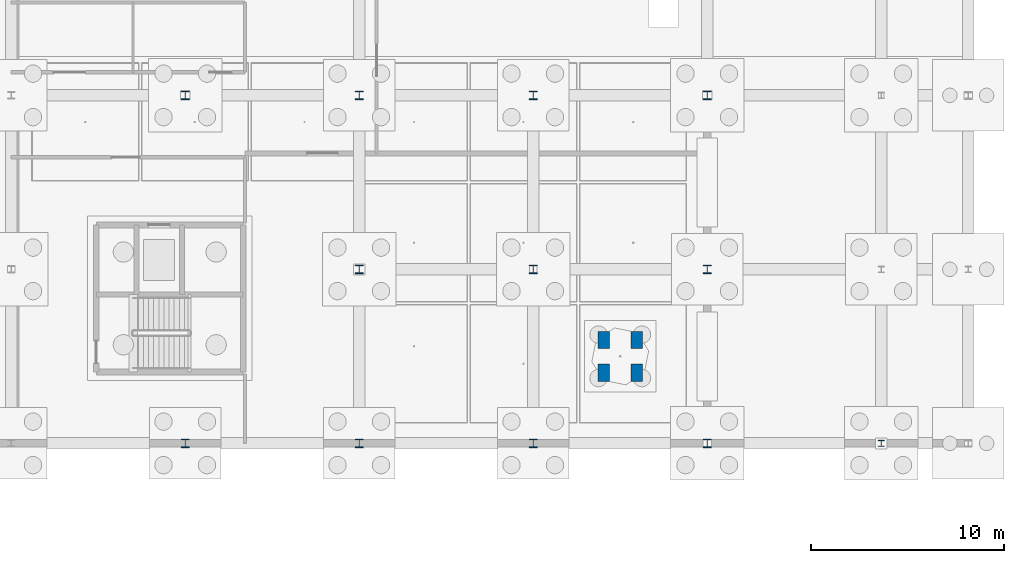
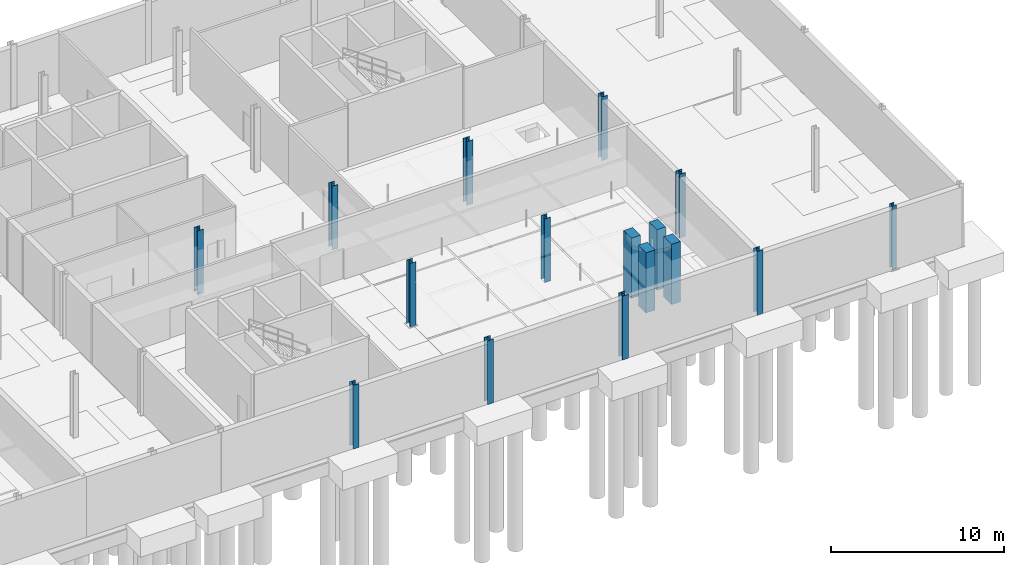
# One storey, part 15 of 48: 16 columns.
"""IFC4 building model written with IfcOpenShell, lengths in metres."""

from ifc_helpers import new_model, si_unit, direction, frame, origin, origin_2d, place, context, subcontext, project, spatial, rectangle, i_section, extrude, material, material_profile, profile_set, type_object, element, save


model = new_model("IFC4")

# Units and contexts
model_context = context("Model", 3, precision=1e-05, world=origin(), true_north=direction((0.0, 1.0)))
body_context = subcontext(model_context, "Body", "Model", "MODEL_VIEW")
ifc_project = project(units=[si_unit("LENGTHUNIT", "METRE"), si_unit("AREAUNIT", "SQUARE_METRE"), si_unit("VOLUMEUNIT", "CUBIC_METRE"), si_unit("PLANEANGLEUNIT", "RADIAN"), si_unit("MASSUNIT", "GRAM", prefix="KILO"), si_unit("THERMODYNAMICTEMPERATUREUNIT", "KELVIN"), si_unit("POWERUNIT", "WATT")], contexts=[model_context])

# Site, building, storey
site_placement = place(None, origin())
site = spatial("IfcSite", under=ifc_project, at=site_placement, CompositionType="ELEMENT")
building_placement = place(site_placement, origin())
building = spatial("IfcBuilding", under=site, at=building_placement, Name="Tallowbark Science Centre", CompositionType="ELEMENT")
storey_placement = place(building_placement, frame((0.0, 0.0, -4.5)))
storey = spatial("IfcBuildingStorey", under=building, at=storey_placement, Name="B1", CompositionType="ELEMENT", Elevation=-4.5)

# Columns
ifc_material_1 = material(Name="Concrete Grade N40 (40 MPa)", Category="concrete")
ifc_material_profile_1 = material_profile(ifc_material_1, rectangle(XDim=0.60009765625, YDim=0.89990234375, at=origin_2d()), Name="RC600x900")
ifc_profile_set_1 = profile_set([ifc_material_profile_1], Name="Concrete Grade N40 (40 MPa)")
column_type_1 = type_object("IfcColumnType", Name="COL-FND-PIER", PredefinedType="COLUMN", material=ifc_profile_set_1)
for number, where, z_axis, x_axis, name in (
    (1, (143.14990234375, 75.64990234375, 0.0), (0.0, 0.0, 1.0), (1.0, 0.0, 0.0), "Telescope Isolation Pedestal Column 1"),
    (2, (144.85009765625, 75.64990234375, 0.0), (0.0, 0.0, 1.0), (1.0, 0.0, 0.0), "Telescope Isolation Pedestal Column 2"),
    (3, (143.14990234375, 77.35009765625, 0.0), (0.0, 0.0, 1.0), (1.0, 0.0, 0.0), "Telescope Isolation Pedestal Column 3"),
    (4, (144.85009765625, 77.35009765625, 0.0), (0.0, 0.0, 1.0), (1.0, 0.0, 0.0), "Telescope Isolation Pedestal Column 4"),
):
    element("IfcColumn", number, at=place(storey_placement, frame(where, z_axis=z_axis, x_axis=x_axis)), inside=storey, type_object=column_type_1, Name=name, PredefinedType="COLUMN", context=body_context, shape_type="SweptSolid", body=[
        extrude(rectangle(XDim=0.60009765625, YDim=0.89990234375, at=origin_2d()), origin(), (0.0, 0.0, 1.0), 4.260009765625),
    ])
ifc_material_2 = material(Name="Structural Steel Grade 300PLUS (300 MPa)", Category="steel")
ifc_material_profile_2 = material_profile(ifc_material_2, i_section(OverallWidth=0.30908203125, OverallDepth=0.320556640625, WebThickness=0.013916015625, FlangeThickness=0.021728515625, FilletRadius=0.0166015625, at=origin_2d()), Name="310UC137")
ifc_profile_set_2 = profile_set([ifc_material_profile_2], Name="Structural Steel Grade 300PLUS (300 MPa)")
column_type_2 = type_object("IfcColumnType", Name="COL-UC310B", PredefinedType="COLUMN", material=ifc_profile_set_2)
column_placement = place(storey_placement, frame((157.5, 72.0, 0.0), z_axis=(0.0, 0.0, 1.0), x_axis=(1.0, 0.0, 0.0)))
element("IfcColumn", 5, at=column_placement, inside=storey, type_object=column_type_2, Name="Column OBS-5_0 B1", PredefinedType="COLUMN", context=body_context, shape_type="SweptSolid", body=[
    extrude(i_section(OverallWidth=0.30908203125, OverallDepth=0.320556640625, WebThickness=0.013916015625, FlangeThickness=0.021728515625, FilletRadius=0.0166015625, at=origin_2d()), origin(), (0.0, 0.0, 1.0), 4.5),
])
ifc_material_profile_3 = material_profile(ifc_material_2, i_section(OverallWidth=0.39990234375, OverallDepth=0.427978515625, WebThickness=0.02001953125, FlangeThickness=0.028076171875, FilletRadius=0.01611328125, at=origin_2d()), Name="400WC270")
ifc_profile_set_3 = profile_set([ifc_material_profile_3], Name="Structural Steel Grade 300PLUS (300 MPa)")
column_type_3 = type_object("IfcColumnType", Name="COL-WC400", PredefinedType="COLUMN", material=ifc_profile_set_3)
for number, where, z_axis, x_axis, name in (
    (6, (121.5, 72.0, 0.0), (0.0, 0.0, 1.0), (1.0, 0.0, 0.0), "Column OBS-1_0 B1"),
    (7, (121.5, 90.0, 0.0), (0.0, 0.0, 1.0), (1.0, 0.0, 0.0), "Column OBS-1_2 B1"),
    (8, (130.5, 72.0, 0.0), (0.0, 0.0, 1.0), (1.0, 0.0, 0.0), "Column OBS-2_0 B1"),
    (9, (130.5, 81.0, 0.0), (0.0, 0.0, 1.0), (1.0, 0.0, 0.0), "Column OBS-2_1 B1"),
    (10, (130.5, 90.0, 0.0), (0.0, 0.0, 1.0), (1.0, 0.0, 0.0), "Column OBS-2_2 B1"),
    (11, (139.5, 72.0, 0.0), (0.0, 0.0, 1.0), (1.0, 0.0, 0.0), "Column OBS-3_0 B1"),
    (12, (139.5, 81.0, 0.0), (0.0, 0.0, 1.0), (1.0, 0.0, 0.0), "Column OBS-3_1 B1"),
    (13, (139.5, 90.0, 0.0), (0.0, 0.0, 1.0), (1.0, 0.0, 0.0), "Column OBS-3_2 B1"),
    (14, (148.5, 72.0, 0.0), (0.0, 0.0, 1.0), (1.0, 0.0, 0.0), "Column OBS-4_0 B1"),
    (15, (148.5, 81.0, 0.0), (0.0, 0.0, 1.0), (1.0, 0.0, 0.0), "Column OBS-4_1 B1"),
    (16, (148.5, 90.0, 0.0), (0.0, 0.0, 1.0), (1.0, 0.0, 0.0), "Column OBS-4_2 B1"),
):
    element("IfcColumn", number, at=place(storey_placement, frame(where, z_axis=z_axis, x_axis=x_axis)), inside=storey, type_object=column_type_3, Name=name, PredefinedType="COLUMN", context=body_context, shape_type="SweptSolid", body=[
        extrude(i_section(OverallWidth=0.39990234375, OverallDepth=0.427978515625, WebThickness=0.02001953125, FlangeThickness=0.028076171875, FilletRadius=0.01611328125, at=origin_2d()), origin(), (0.0, 0.0, 1.0), 4.5),
    ])

save(model, "model.ifc")
